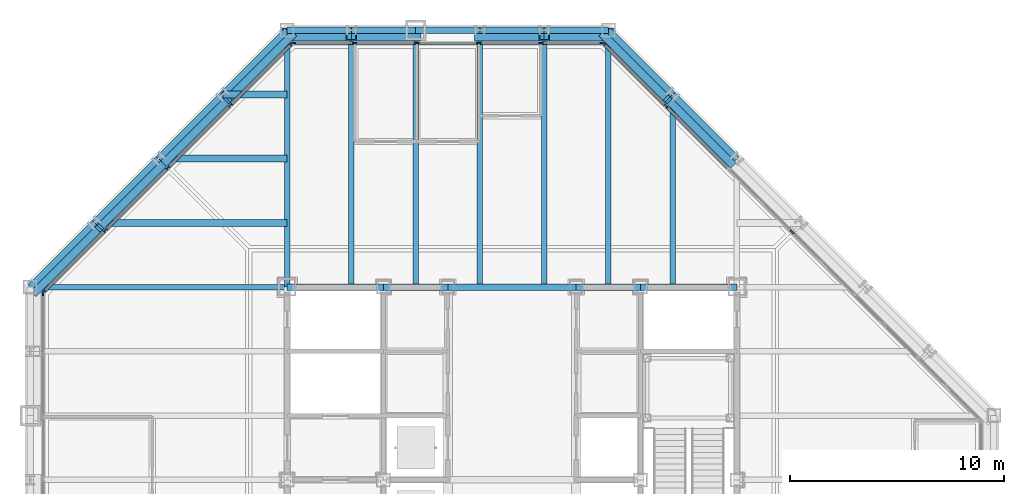
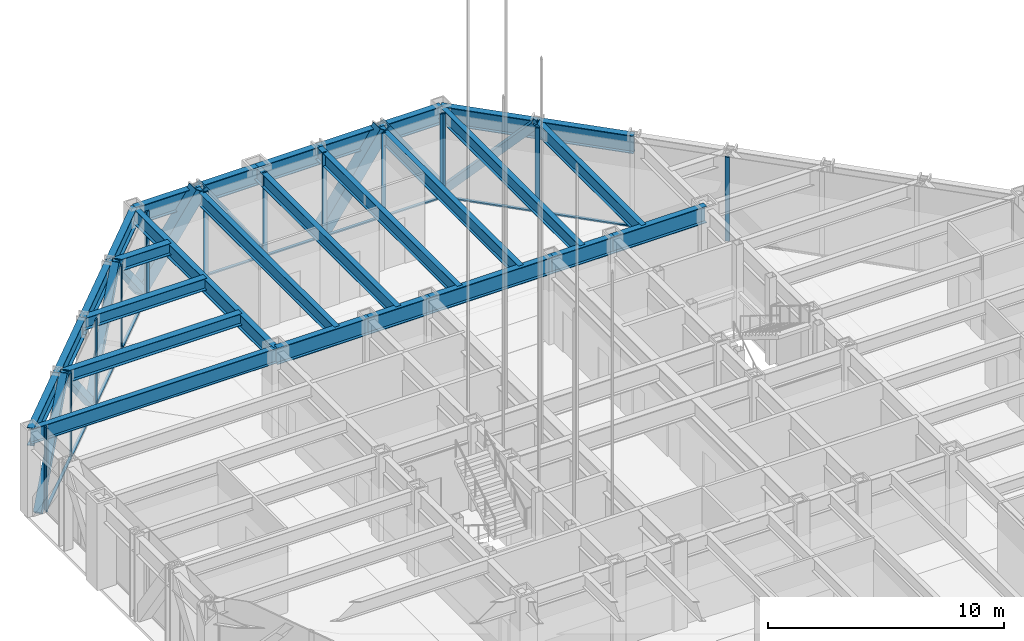
# One storey, part 7 of 24: 36 members, 27 beams, 4 elements without a shape of their own.
"""IFC4 building model written with IfcOpenShell, lengths in metres."""

from ifc_helpers import new_model, si_unit, direction, frame, origin, origin_2d, place, context, subcontext, project, spatial, rectangle, hollow_rectangle, i_section, extrude, material, layer, layer_set, material_profile, profile_set, type_object, element, aggregate, save


model = new_model("IFC4")

# Units and contexts
model_context = context("Model", 3, precision=1e-05, world=origin(), true_north=direction((0.0, 1.0)))
body_context = subcontext(model_context, "Body", "Model", "MODEL_VIEW")
ifc_project = project(units=[si_unit("LENGTHUNIT", "METRE"), si_unit("AREAUNIT", "SQUARE_METRE"), si_unit("VOLUMEUNIT", "CUBIC_METRE"), si_unit("PLANEANGLEUNIT", "RADIAN"), si_unit("MASSUNIT", "GRAM", prefix="KILO")], contexts=[model_context])

# Site, building, storey
site_placement = place(None, origin())
site = spatial("IfcSite", under=ifc_project, at=site_placement, CompositionType="ELEMENT")
building_placement = place(site_placement, origin())
building = spatial("IfcBuilding", under=site, at=building_placement, Name="Chuquiago Exchange Tower", CompositionType="ELEMENT")
storey_placement = place(building_placement, frame((0.0, 0.0, 180.0)))
storey = spatial("IfcBuildingStorey", under=building, at=storey_placement, Name="L39", CompositionType="ELEMENT", Elevation=180.0)

# Beams
ifc_material_1 = material(Name="Steel ASTM A992", Category="steel")
ifc_material_profile_1 = material_profile(ifc_material_1, i_section(OverallWidth=0.25390625, OverallDepth=0.683349609375, WebThickness=0.012451171875, FlangeThickness=0.018798828125, at=origin_2d()), Name="W27X94")
ifc_profile_set_1 = profile_set([ifc_material_profile_1], Name="Steel ASTM A992")
beam_type_1 = type_object("IfcBeamType", Name="B1 W27X94", PredefinedType="BEAM", material=ifc_profile_set_1)
for number, where, z_axis, x_axis, name in (
    (1, (15.0, 33.0, 3.998291015625), (0.0, 1.0, 0.0), (-1.0, 0.0, 0.0), "FB-L40-infill-15_33-15_45-0"),
    (2, (18.0, 33.0, 3.998291015625), (0.0, 1.0, 0.0), (-1.0, 0.0, 0.0), "FB-L40-infill-18_33-18_45-0"),
    (3, (21.0, 33.0, 3.998291015625), (0.0, 1.0, 0.0), (-1.0, 0.0, 0.0), "FB-L40-infill-21_33-21_45-0"),
    (4, (24.0, 33.0, 3.998291015625), (0.0, 1.0, 0.0), (-1.0, 0.0, 0.0), "FB-L40-infill-24_33-24_45-0"),
    (5, (27.0, 33.0, 3.998291015625), (0.0, 1.0, 0.0), (-1.0, 0.0, 0.0), "FB-L40-infill-27_33-27_45-0"),
):
    element("IfcBeam", number, at=place(storey_placement, frame(where, z_axis=z_axis, x_axis=x_axis)), inside=storey, type_object=beam_type_1, Name=name, PredefinedType="BEAM", context=body_context, shape_type="SweptSolid", body=[
        extrude(i_section(OverallWidth=0.25390625, OverallDepth=0.683349609375, WebThickness=0.012451171875, FlangeThickness=0.018798828125, at=origin_2d()), origin(), (0.0, 0.0, 1.0), 12.0),
    ])
beam_1_placement = place(storey_placement, frame((30.0, 33.0, 3.998291015625), z_axis=(0.0, 1.0, 0.0), x_axis=(-1.0, 0.0, 0.0)))
element("IfcBeam", 6, at=beam_1_placement, inside=storey, type_object=beam_type_1, Name="FB-L40-infill-30_33-30_42-0", PredefinedType="BEAM", context=body_context, shape_type="SweptSolid", body=[
    extrude(i_section(OverallWidth=0.25390625, OverallDepth=0.683349609375, WebThickness=0.012451171875, FlangeThickness=0.018798828125, at=origin_2d()), origin(), (0.0, 0.0, 1.0), 9.0),
])
ifc_material_2 = material(Name="Steel ASTM A992", Category="steel")
ifc_material_profile_2 = material_profile(ifc_material_2, i_section(OverallWidth=0.3251953125, OverallDepth=0.612060546875, WebThickness=0.0126953125, FlangeThickness=0.01904296875, at=origin_2d()), Name="W24X104")
ifc_profile_set_2 = profile_set([ifc_material_profile_2], Name="Steel ASTM A992")
beam_type_2 = type_object("IfcBeamType", Name="B2 W24X104", PredefinedType="BEAM", material=ifc_profile_set_2)
beam_2_placement = place(storey_placement, frame((12.0, 36.0, 4.033935546875), z_axis=(-1.0, 0.0, 0.0), x_axis=(0.0, -1.0, 0.0)))
element("IfcBeam", 7, at=beam_2_placement, inside=storey, type_object=beam_type_2, Name="FB-L40-corner-12_36-3_36-0", PredefinedType="BEAM", context=body_context, shape_type="SweptSolid", body=[
    extrude(i_section(OverallWidth=0.3251953125, OverallDepth=0.612060546875, WebThickness=0.0126953125, FlangeThickness=0.01904296875, at=origin_2d()), origin(), (0.0, 0.0, 1.0), 9.0),
])
beam_3_placement = place(storey_placement, frame((12.0, 39.0, 4.033935546875), z_axis=(-1.0, 0.0, 0.0), x_axis=(0.0, -1.0, 0.0)))
element("IfcBeam", 8, at=beam_3_placement, inside=storey, type_object=beam_type_2, Name="FB-L40-corner-12_39-6_39-0", PredefinedType="BEAM", context=body_context, shape_type="SweptSolid", body=[
    extrude(i_section(OverallWidth=0.3251953125, OverallDepth=0.612060546875, WebThickness=0.0126953125, FlangeThickness=0.01904296875, at=origin_2d()), origin(), (0.0, 0.0, 1.0), 6.0),
])
beam_4_placement = place(storey_placement, frame((12.0, 42.0, 4.033935546875), z_axis=(-1.0, 0.0, 0.0), x_axis=(0.0, -1.0, 0.0)))
element("IfcBeam", 9, at=beam_4_placement, inside=storey, type_object=beam_type_2, Name="FB-L40-corner-12_42-9_42-0", PredefinedType="BEAM", context=body_context, shape_type="SweptSolid", body=[
    extrude(i_section(OverallWidth=0.3251953125, OverallDepth=0.612060546875, WebThickness=0.0126953125, FlangeThickness=0.01904296875, at=origin_2d()), origin(), (0.0, 0.0, 1.0), 3.0),
])
ifc_material_3 = material(Name="Steel ASTM A992", Category="steel")
ifc_material_profile_3 = material_profile(ifc_material_3, i_section(OverallWidth=0.2919921875, OverallDepth=0.8583984375, WebThickness=0.01708984375, FlangeThickness=0.031005859375, at=origin_2d()), Name="W33X169")
ifc_profile_set_3 = profile_set([ifc_material_profile_3], Name="Steel ASTM A992")
beam_type_3 = type_object("IfcBeamType", Name="B3 W33X169", PredefinedType="BEAM", material=ifc_profile_set_3)
beam_5_placement = place(storey_placement, frame((12.0, 33.0, 3.91064453125), z_axis=(1.0, 0.0, 0.0), x_axis=(0.0, 1.0, 0.0)))
element("IfcBeam", 10, at=beam_5_placement, inside=storey, type_object=beam_type_3, Name="CB-L40-12_33-16.5_33", PredefinedType="BEAM", context=body_context, shape_type="SweptSolid", body=[
    extrude(i_section(OverallWidth=0.2919921875, OverallDepth=0.8583984375, WebThickness=0.01708984375, FlangeThickness=0.031005859375, at=origin_2d()), origin(), (0.0, 0.0, 1.0), 4.5),
])
beam_6_placement = place(storey_placement, frame((16.5, 33.0, 3.91064453125), z_axis=(1.0, 0.0, 0.0), x_axis=(0.0, 1.0, 0.0)))
element("IfcBeam", 11, at=beam_6_placement, inside=storey, type_object=beam_type_3, Name="CB-L40-16.5_33-19.5_33", PredefinedType="BEAM", context=body_context, shape_type="SweptSolid", body=[
    extrude(i_section(OverallWidth=0.2919921875, OverallDepth=0.8583984375, WebThickness=0.01708984375, FlangeThickness=0.031005859375, at=origin_2d()), origin(), (0.0, 0.0, 1.0), 3.0),
])
beam_7_placement = place(storey_placement, frame((19.5, 33.0, 3.91064453125), z_axis=(1.0, 0.0, 0.0), x_axis=(0.0, 1.0, 0.0)))
element("IfcBeam", 12, at=beam_7_placement, inside=storey, type_object=beam_type_3, Name="CB-L40-19.5_33-25.5_33", PredefinedType="BEAM", context=body_context, shape_type="SweptSolid", body=[
    extrude(i_section(OverallWidth=0.2919921875, OverallDepth=0.8583984375, WebThickness=0.01708984375, FlangeThickness=0.031005859375, at=origin_2d()), origin(), (0.0, 0.0, 1.0), 6.0),
])
beam_8_placement = place(storey_placement, frame((25.5, 33.0, 3.91064453125), z_axis=(1.0, 0.0, 0.0), x_axis=(0.0, 1.0, 0.0)))
element("IfcBeam", 13, at=beam_8_placement, inside=storey, type_object=beam_type_3, Name="CB-L40-25.5_33-28.5_33", PredefinedType="BEAM", context=body_context, shape_type="SweptSolid", body=[
    extrude(i_section(OverallWidth=0.2919921875, OverallDepth=0.8583984375, WebThickness=0.01708984375, FlangeThickness=0.031005859375, at=origin_2d()), origin(), (0.0, 0.0, 1.0), 3.0),
])
beam_9_placement = place(storey_placement, frame((28.5, 33.0, 3.91064453125), z_axis=(1.0, 0.0, 0.0), x_axis=(0.0, 1.0, 0.0)))
element("IfcBeam", 14, at=beam_9_placement, inside=storey, type_object=beam_type_3, Name="CB-L40-28.5_33-33_33", PredefinedType="BEAM", context=body_context, shape_type="SweptSolid", body=[
    extrude(i_section(OverallWidth=0.2919921875, OverallDepth=0.8583984375, WebThickness=0.01708984375, FlangeThickness=0.031005859375, at=origin_2d()), origin(), (0.0, 0.0, 1.0), 4.5),
])

# Curtain wall, members
ifc_material_4 = material(Name="Aluminium curtain wall system", Category="aluminium")
ifc_layer_1 = layer(ifc_material_4, 0.22509765625)
ifc_layer_set_1 = layer_set([ifc_layer_1], Name="CW2 office curtain wall")
curtain_wall_type_1 = type_object("IfcCurtainWallType", Name="CW2 office curtain wall", PredefinedType="NOTDEFINED", material=ifc_layer_set_1)
curtain_wall_1_placement = place(storey_placement, origin())
curtain_wall_1 = element("IfcCurtainWall", 15, at=curtain_wall_1_placement, inside=storey, type_object=curtain_wall_type_1, Name="CW2 curtain wall L39", PredefinedType="NOTDEFINED")
ifc_material_5 = material(Name="Aluminium mullion, pale anodised", Category="aluminium")
ifc_material_profile_4 = material_profile(ifc_material_5, rectangle(XDim=0.06494140625, YDim=0.22509765625, at=origin_2d()), Name="AL 65x225")
ifc_profile_set_4 = profile_set([ifc_material_profile_4], Name="Aluminium mullion, pale anodised")
member_type_1 = type_object("IfcMemberType", Name="CW2-M mullion 65x225", PredefinedType="MULLION", material=ifc_profile_set_4)
member_1_placement = place(storey_placement, frame((26.718994140625, 44.39990234375, 0.0), z_axis=(0.0, 0.0, 1.0), x_axis=(0.0, -1.0, 0.0)))
member_1 = element("IfcMember", 16, at=member_1_placement, type_object=member_type_1, Name="CW2 mullion 1", PredefinedType="MULLION", context=body_context, shape_type="SweptSolid", body=[
    extrude(rectangle(XDim=0.06494140625, YDim=0.22509765625, at=origin_2d()), origin(), (0.0, 0.0, 1.0), 4.340087890625),
])
member_2_placement = place(storey_placement, frame((23.850830078125, 44.39990234375, 0.0), z_axis=(0.0, 0.0, 1.0), x_axis=(0.0, -1.0, 0.0)))
member_2 = element("IfcMember", 17, at=member_2_placement, type_object=member_type_1, Name="CW2 mullion 2", PredefinedType="MULLION", context=body_context, shape_type="SweptSolid", body=[
    extrude(rectangle(XDim=0.06494140625, YDim=0.22509765625, at=origin_2d()), origin(), (0.0, 0.0, 1.0), 4.340087890625),
])
member_3_placement = place(storey_placement, frame((20.9501953125, 44.39990234375, 0.0), z_axis=(0.0, 0.0, 1.0), x_axis=(0.0, -1.0, 0.0)))
member_3 = element("IfcMember", 18, at=member_3_placement, type_object=member_type_1, Name="CW2 mullion 3", PredefinedType="MULLION", context=body_context, shape_type="SweptSolid", body=[
    extrude(rectangle(XDim=0.06494140625, YDim=0.22509765625, at=origin_2d()), origin(), (0.0, 0.0, 1.0), 4.340087890625),
])
member_4_placement = place(storey_placement, frame((18.0498046875, 44.39990234375, 0.0), z_axis=(0.0, 0.0, 1.0), x_axis=(0.0, -1.0, 0.0)))
member_4 = element("IfcMember", 19, at=member_4_placement, type_object=member_type_1, Name="CW2 mullion 4", PredefinedType="MULLION", context=body_context, shape_type="SweptSolid", body=[
    extrude(rectangle(XDim=0.06494140625, YDim=0.22509765625, at=origin_2d()), origin(), (0.0, 0.0, 1.0), 4.340087890625),
])
member_5_placement = place(storey_placement, frame((15.149169921875, 44.39990234375, 0.0), z_axis=(0.0, 0.0, 1.0), x_axis=(0.0, -1.0, 0.0)))
member_5 = element("IfcMember", 20, at=member_5_placement, type_object=member_type_1, Name="CW2 mullion 5", PredefinedType="MULLION", context=body_context, shape_type="SweptSolid", body=[
    extrude(rectangle(XDim=0.06494140625, YDim=0.22509765625, at=origin_2d()), origin(), (0.0, 0.0, 1.0), 4.340087890625),
])
member_6_placement = place(storey_placement, frame((12.281005859375, 44.39990234375, 0.0), z_axis=(0.0, 0.0, 1.0), x_axis=(0.0, -1.0, 0.0)))
member_6 = element("IfcMember", 21, at=member_6_placement, type_object=member_type_1, Name="CW2 mullion 6", PredefinedType="MULLION", context=body_context, shape_type="SweptSolid", body=[
    extrude(rectangle(XDim=0.06494140625, YDim=0.22509765625, at=origin_2d()), origin(), (0.0, 0.0, 1.0), 4.340087890625),
])

# Curtain wall, member
curtain_wall_2_placement = place(storey_placement, origin())
curtain_wall_2 = element("IfcCurtainWall", 22, at=curtain_wall_2_placement, inside=storey, type_object=curtain_wall_type_1, Name="CW2 curtain wall L39", PredefinedType="NOTDEFINED")
member_7_placement = place(storey_placement, frame((0.60009765625, 32.718994140625, 0.0), z_axis=(0.0, 0.0, 1.0), x_axis=(1.0, 0.0, 0.0)))
member_7 = element("IfcMember", 23, at=member_7_placement, type_object=member_type_1, Name="CW2 mullion 1", PredefinedType="MULLION", context=body_context, shape_type="SweptSolid", body=[
    extrude(rectangle(XDim=0.06494140625, YDim=0.22509765625, at=origin_2d()), origin(), (0.0, 0.0, 1.0), 4.340087890625),
])
aggregate(curtain_wall_2, [member_7])

# Member
ifc_material_6 = material(Name="Aluminium transom, pale anodised", Category="aluminium")
ifc_material_profile_5 = material_profile(ifc_material_6, rectangle(XDim=0.139892578125, YDim=0.06494140625, at=origin_2d()), Name="AL 140x65")
ifc_profile_set_5 = profile_set([ifc_material_profile_5], Name="Aluminium transom, pale anodised")
member_type_2 = type_object("IfcMemberType", Name="CW2-T transom 65x140", PredefinedType="MULLION", material=ifc_profile_set_5)
member_8_placement = place(storey_placement, frame((26.6865234375, 44.39990234375, 0.032470703125), z_axis=(-1.0, 0.0, 0.0), x_axis=(0.0, -1.0, 0.0)))
member_8 = element("IfcMember", 24, at=member_8_placement, type_object=member_type_2, Name="CW2 transom 1.1", PredefinedType="MULLION", context=body_context, shape_type="SweptSolid", body=[
    extrude(rectangle(XDim=0.139892578125, YDim=0.06494140625, at=origin_2d()), origin(), (0.0, 0.0, 1.0), 2.80322265625),
])

member_9_placement = place(storey_placement, frame((23.818359375, 44.39990234375, 0.032470703125), z_axis=(-1.0, 0.0, 0.0), x_axis=(0.0, -1.0, 0.0)))
member_9 = element("IfcMember", 25, at=member_9_placement, type_object=member_type_2, Name="CW2 transom 2.1", PredefinedType="MULLION", context=body_context, shape_type="SweptSolid", body=[
    extrude(rectangle(XDim=0.139892578125, YDim=0.06494140625, at=origin_2d()), origin(), (0.0, 0.0, 1.0), 2.83544921875),
])

member_10_placement = place(storey_placement, frame((20.917724609375, 44.39990234375, 0.032470703125), z_axis=(-1.0, 0.0, 0.0), x_axis=(0.0, -1.0, 0.0)))
member_10 = element("IfcMember", 26, at=member_10_placement, type_object=member_type_2, Name="CW2 transom 3.1", PredefinedType="MULLION", context=body_context, shape_type="SweptSolid", body=[
    extrude(rectangle(XDim=0.139892578125, YDim=0.06494140625, at=origin_2d()), origin(), (0.0, 0.0, 1.0), 2.83544921875),
])

member_11_placement = place(storey_placement, frame((18.01708984375, 44.39990234375, 0.032470703125), z_axis=(-1.0, 0.0, 0.0), x_axis=(0.0, -1.0, 0.0)))
member_11 = element("IfcMember", 27, at=member_11_placement, type_object=member_type_2, Name="CW2 transom 4.1", PredefinedType="MULLION", context=body_context, shape_type="SweptSolid", body=[
    extrude(rectangle(XDim=0.139892578125, YDim=0.06494140625, at=origin_2d()), origin(), (0.0, 0.0, 1.0), 2.83544921875),
])

member_12_placement = place(storey_placement, frame((15.11669921875, 44.39990234375, 0.032470703125), z_axis=(-1.0, 0.0, 0.0), x_axis=(0.0, -1.0, 0.0)))
member_12 = element("IfcMember", 28, at=member_12_placement, type_object=member_type_2, Name="CW2 transom 5.1", PredefinedType="MULLION", context=body_context, shape_type="SweptSolid", body=[
    extrude(rectangle(XDim=0.139892578125, YDim=0.06494140625, at=origin_2d()), origin(), (0.0, 0.0, 1.0), 2.80322265625),
])

aggregate(curtain_wall_1, [member_1, member_2, member_3, member_4, member_5, member_6, member_8, member_9, member_10, member_11, member_12])

# Curtain wall, members
ifc_material_7 = material(Name="Aluminium curtain wall system", Category="aluminium")
ifc_layer_2 = layer(ifc_material_7, 0.199951171875)
ifc_layer_set_2 = layer_set([ifc_layer_2], Name="CW3 facet curtain wall")
curtain_wall_type_2 = type_object("IfcCurtainWallType", Name="CW3 facet curtain wall", PredefinedType="NOTDEFINED", material=ifc_layer_set_2)
curtain_wall_3_placement = place(storey_placement, origin())
curtain_wall_3 = element("IfcCurtainWall", 29, at=curtain_wall_3_placement, inside=storey, type_object=curtain_wall_type_2, Name="CW3 curtain wall L39", PredefinedType="NOTDEFINED")
ifc_material_8 = material(Name="Aluminium mullion, pale anodised", Category="aluminium")
ifc_material_profile_6 = material_profile(ifc_material_8, rectangle(XDim=0.06494140625, YDim=0.199951171875, at=origin_2d()), Name="AL 65x200")
ifc_profile_set_6 = profile_set([ifc_material_profile_6], Name="Aluminium mullion, pale anodised")
member_type_3 = type_object("IfcMemberType", Name="CW3-M mullion 65x200", PredefinedType="MULLION", material=ifc_profile_set_6)
member_13_placement = place(storey_placement, frame((35.57568359375, 35.57568359375, 0.0), z_axis=(0.0, 0.0, 1.0), x_axis=(-0.707106781187, -0.707106781187, 0.0)))
member_13 = element("IfcMember", 30, at=member_13_placement, type_object=member_type_3, Name="CW3 mullion 4", PredefinedType="MULLION", context=body_context, shape_type="SweptSolid", body=[
    extrude(rectangle(XDim=0.06494140625, YDim=0.199951171875, at=origin_2d()), origin(), (0.0, 0.0, 1.0), 4.340087890625),
])
member_14_placement = place(storey_placement, frame((29.69287109375, 41.45849609375, 0.0), z_axis=(0.0, 0.0, 1.0), x_axis=(-0.707106781187, -0.707106781187, 0.0)))
member_14 = element("IfcMember", 31, at=member_14_placement, type_object=member_type_3, Name="CW3 mullion 6", PredefinedType="MULLION", context=body_context, shape_type="SweptSolid", body=[
    extrude(rectangle(XDim=0.06494140625, YDim=0.199951171875, at=origin_2d()), origin(), (0.0, 0.0, 1.0), 4.340087890625),
])
member_15_placement = place(storey_placement, frame((26.7744140625, 44.376953125, 0.0), z_axis=(0.0, 0.0, 1.0), x_axis=(-0.707106781187, -0.707106781187, 0.0)))
member_15 = element("IfcMember", 32, at=member_15_placement, type_object=member_type_3, Name="CW3 mullion 7", PredefinedType="MULLION", context=body_context, shape_type="SweptSolid", body=[
    extrude(rectangle(XDim=0.06494140625, YDim=0.199951171875, at=origin_2d()), origin(), (0.0, 0.0, 1.0), 4.340087890625),
])

curtain_wall_4_placement = place(storey_placement, origin())
curtain_wall_4 = element("IfcCurtainWall", 33, at=curtain_wall_4_placement, inside=storey, type_object=curtain_wall_type_2, Name="CW3 curtain wall L39", PredefinedType="NOTDEFINED")
member_16_placement = place(storey_placement, frame((12.2255859375, 44.376953125, 0.0), z_axis=(0.0, 0.0, 1.0), x_axis=(0.707106781187, -0.707106781187, 0.0)))
member_16 = element("IfcMember", 34, at=member_16_placement, type_object=member_type_3, Name="CW3 mullion 1", PredefinedType="MULLION", context=body_context, shape_type="SweptSolid", body=[
    extrude(rectangle(XDim=0.06494140625, YDim=0.199951171875, at=origin_2d()), origin(), (0.0, 0.0, 1.0), 4.340087890625),
])
member_17_placement = place(storey_placement, frame((9.33642578125, 41.48779296875, 0.0), z_axis=(0.0, 0.0, 1.0), x_axis=(0.707106781187, -0.707106781187, 0.0)))
member_17 = element("IfcMember", 35, at=member_17_placement, type_object=member_type_3, Name="CW3 mullion 2", PredefinedType="MULLION", context=body_context, shape_type="SweptSolid", body=[
    extrude(rectangle(XDim=0.06494140625, YDim=0.199951171875, at=origin_2d()), origin(), (0.0, 0.0, 1.0), 4.340087890625),
])
member_18_placement = place(storey_placement, frame((6.42431640625, 38.57568359375, 0.0), z_axis=(0.0, 0.0, 1.0), x_axis=(0.707106781187, -0.707106781187, 0.0)))
member_18 = element("IfcMember", 36, at=member_18_placement, type_object=member_type_3, Name="CW3 mullion 3", PredefinedType="MULLION", context=body_context, shape_type="SweptSolid", body=[
    extrude(rectangle(XDim=0.06494140625, YDim=0.199951171875, at=origin_2d()), origin(), (0.0, 0.0, 1.0), 4.340087890625),
])
member_19_placement = place(storey_placement, frame((3.51220703125, 35.66357421875, 0.0), z_axis=(0.0, 0.0, 1.0), x_axis=(0.707106781187, -0.707106781187, 0.0)))
member_19 = element("IfcMember", 37, at=member_19_placement, type_object=member_type_3, Name="CW3 mullion 4", PredefinedType="MULLION", context=body_context, shape_type="SweptSolid", body=[
    extrude(rectangle(XDim=0.06494140625, YDim=0.199951171875, at=origin_2d()), origin(), (0.0, 0.0, 1.0), 4.340087890625),
])
member_20_placement = place(storey_placement, frame((0.623046875, 32.7744140625, 0.0), z_axis=(0.0, 0.0, 1.0), x_axis=(0.707106781187, -0.707106781187, 0.0)))
member_20 = element("IfcMember", 38, at=member_20_placement, type_object=member_type_3, Name="CW3 mullion 5", PredefinedType="MULLION", context=body_context, shape_type="SweptSolid", body=[
    extrude(rectangle(XDim=0.06494140625, YDim=0.199951171875, at=origin_2d()), origin(), (0.0, 0.0, 1.0), 4.340087890625),
])

# Member
ifc_material_9 = material(Name="Aluminium transom, pale anodised", Category="aluminium")
ifc_material_profile_7 = material_profile(ifc_material_9, rectangle(XDim=0.139892578125, YDim=0.06494140625, at=origin_2d()), Name="AL 140x65")
ifc_profile_set_7 = profile_set([ifc_material_profile_7], Name="Aluminium transom, pale anodised")
member_type_4 = type_object("IfcMemberType", Name="CW3-T transom 65x140", PredefinedType="MULLION", material=ifc_profile_set_7)
member_21_placement = place(storey_placement, frame((32.611328125, 38.5400390625, 0.032470703125), z_axis=(-0.707106781187, 0.707106781187, 0.0), x_axis=(-0.707106781187, -0.707106781187, 0.0)))
member_21 = element("IfcMember", 39, at=member_21_placement, type_object=member_type_4, Name="CW3 transom 5.1", PredefinedType="MULLION", context=body_context, shape_type="SweptSolid", body=[
    extrude(rectangle(XDim=0.139892578125, YDim=0.06494140625, at=origin_2d()), origin(), (0.0, 0.0, 1.0), 4.094970703125),
])

member_22_placement = place(storey_placement, frame((29.669921875, 41.4814453125, 0.032470703125), z_axis=(-0.707106781187, 0.707106781187, 0.0), x_axis=(-0.707106781187, -0.707106781187, 0.0)))
member_22 = element("IfcMember", 40, at=member_22_placement, type_object=member_type_4, Name="CW3 transom 6.1", PredefinedType="MULLION", context=body_context, shape_type="SweptSolid", body=[
    extrude(rectangle(XDim=0.139892578125, YDim=0.06494140625, at=origin_2d()), origin(), (0.0, 0.0, 1.0), 4.0625),
])

aggregate(curtain_wall_3, [member_13, member_14, member_15, member_21, member_22])

member_23_placement = place(storey_placement, frame((12.20263671875, 44.35400390625, 0.032470703125), z_axis=(-0.707106781187, -0.707106781187, 0.0), x_axis=(0.707106781187, -0.707106781187, 0.0)))
member_23 = element("IfcMember", 41, at=member_23_placement, type_object=member_type_4, Name="CW3 transom 1.1", PredefinedType="MULLION", context=body_context, shape_type="SweptSolid", body=[
    extrude(rectangle(XDim=0.139892578125, YDim=0.06494140625, at=origin_2d()), origin(), (0.0, 0.0, 1.0), 4.02099609375),
])

member_24_placement = place(storey_placement, frame((9.3134765625, 41.46484375, 0.032470703125), z_axis=(-0.707106781187, -0.707106781187, 0.0), x_axis=(0.707106781187, -0.707106781187, 0.0)))
member_24 = element("IfcMember", 42, at=member_24_placement, type_object=member_type_4, Name="CW3 transom 2.1", PredefinedType="MULLION", context=body_context, shape_type="SweptSolid", body=[
    extrude(rectangle(XDim=0.139892578125, YDim=0.06494140625, at=origin_2d()), origin(), (0.0, 0.0, 1.0), 4.053466796875),
])

member_25_placement = place(storey_placement, frame((6.4013671875, 38.552734375, 0.032470703125), z_axis=(-0.707106781187, -0.707106781187, 0.0), x_axis=(0.707106781187, -0.707106781187, 0.0)))
member_25 = element("IfcMember", 43, at=member_25_placement, type_object=member_type_4, Name="CW3 transom 3.1", PredefinedType="MULLION", context=body_context, shape_type="SweptSolid", body=[
    extrude(rectangle(XDim=0.139892578125, YDim=0.06494140625, at=origin_2d()), origin(), (0.0, 0.0, 1.0), 4.053466796875),
])

member_26_placement = place(storey_placement, frame((3.4892578125, 35.640625, 0.032470703125), z_axis=(-0.707106781187, -0.707106781187, 0.0), x_axis=(0.707106781187, -0.707106781187, 0.0)))
member_26 = element("IfcMember", 44, at=member_26_placement, type_object=member_type_4, Name="CW3 transom 4.1", PredefinedType="MULLION", context=body_context, shape_type="SweptSolid", body=[
    extrude(rectangle(XDim=0.139892578125, YDim=0.06494140625, at=origin_2d()), origin(), (0.0, 0.0, 1.0), 4.02099609375),
])

aggregate(curtain_wall_4, [member_16, member_17, member_18, member_19, member_20, member_23, member_24, member_25, member_26])

# Beams
ifc_material_10 = material(Name="Steel ASTM A992", Category="steel")
ifc_material_profile_8 = material_profile(ifc_material_10, i_section(OverallWidth=0.2666015625, OverallDepth=0.76953125, WebThickness=0.015625, FlangeThickness=0.025390625, at=origin_2d()), Name="W30X132")
ifc_profile_set_8 = profile_set([ifc_material_profile_8], Name="Steel ASTM A992")
beam_type_4 = type_object("IfcBeamType", Name="G1 W30X132", PredefinedType="BEAM", material=ifc_profile_set_8)
for number, where, z_axis, x_axis, name in (
    (45, (12.0, 33.0, 3.955078125), (0.0, 1.0, 0.0), (-1.0, 0.0, 0.0), "FB-L40-girder-12_33-12_45-0"),
    (46, (12.0, 33.0, 3.955078125), (-1.0, 0.0, 0.0), (0.0, -1.0, 0.0), "FB-L40-girder-12_33--0_33-0"),
):
    element("IfcBeam", number, at=place(storey_placement, frame(where, z_axis=z_axis, x_axis=x_axis)), inside=storey, type_object=beam_type_4, Name=name, PredefinedType="BEAM", context=body_context, shape_type="SweptSolid", body=[
        extrude(i_section(OverallWidth=0.2666015625, OverallDepth=0.76953125, WebThickness=0.015625, FlangeThickness=0.025390625, at=origin_2d()), origin(), (0.0, 0.0, 1.0), 12.0),
    ])

# Members
ifc_material_11 = material(Name="Steel ASTM A500 Grade C", Category="steel")
ifc_material_profile_9 = material_profile(ifc_material_11, hollow_rectangle(XDim=0.355712890625, YDim=0.355712890625, WallThickness=0.0146484375, at=origin_2d()), Name="HSS14X14X5/8")
ifc_profile_set_9 = profile_set([ifc_material_profile_9], Name="Steel ASTM A500 Grade C")
member_type_5 = type_object("IfcMemberType", Name="LB2 HSS14X14X5/8", PredefinedType="BRACE", material=ifc_profile_set_9)
for number, where, z_axis, x_axis, name in (
    (47, (32.7685546875, 38.7685546875, 0.0), (-0.494291205278, 0.494291205278, 0.715089091491), (-0.707106781187, -0.707106781187, 0.0), "LB-L39-33_39-30_42"),
    (48, (26.7685546875, 44.7685546875, 0.0), (0.494291205278, -0.494291205278, 0.715089091491), (0.707106781187, 0.707106781187, 0.0), "LB-L39-30_42-27_45"),
    (49, (12.2314453125, 44.7685546875, 0.0), (-0.494291205278, -0.494291205278, 0.715089091491), (0.707106781187, -0.707106781187, 0.0), "LB-L39-12_45-9_42"),
    (50, (6.2314453125, 38.7685546875, 0.0), (0.494291205278, 0.494291205278, 0.715089091491), (-0.707106781187, 0.707106781187, 0.0), "LB-L39-9_42-6_39"),
    (51, (6.2314453125, 38.7685546875, 0.0), (-0.494291205278, -0.494291205278, 0.715089091491), (0.707106781187, -0.707106781187, 0.0), "LB-L39-6_39-3_36"),
    (52, (0.2314453125, 32.7685546875, 0.0), (0.494291205278, 0.494291205278, 0.715089091491), (-0.707106781187, 0.707106781187, 0.0), "LB-L39-3_36-0_33"),
):
    element("IfcMember", number, at=place(storey_placement, frame(where, z_axis=z_axis, x_axis=x_axis)), inside=storey, type_object=member_type_5, Name=name, PredefinedType="BRACE", context=body_context, shape_type="SweptSolid", body=[
        extrude(hollow_rectangle(XDim=0.355712890625, YDim=0.355712890625, WallThickness=0.0146484375, at=origin_2d()), origin(), (0.0, 0.0, 1.0), 6.0693359375),
    ])
ifc_material_12 = material(Name="Steel ASTM A572 Grade 50", Category="steel")
ifc_material_profile_10 = material_profile(ifc_material_12, hollow_rectangle(XDim=0.60009765625, YDim=0.60009765625, WallThickness=0.06005859375, at=origin_2d()), Name="BOX600X600X60")
ifc_profile_set_10 = profile_set([ifc_material_profile_10], Name="Steel ASTM A572 Grade 50")
member_type_6 = type_object("IfcMemberType", Name="MB3 BOX600X600X60", PredefinedType="BRACE", material=ifc_profile_set_10)
for number, where, z_axis, x_axis, name in (
    (53, (27.0, 44.794921875, 0.0), (-0.568610676405, 0.0, 0.822606770382), (0.0, -1.0, 0.0), "Mega diagonal L39 N face"),
    (54, (21.0, 44.794921875, 0.0), (0.568610676405, 0.0, 0.822606770382), (0.0, 1.0, 0.0), "Mega diagonal L39 N face"),
    (55, (18.0, 44.794921875, 0.0), (-0.568610676405, 0.0, 0.822606770382), (0.0, -1.0, 0.0), "Mega diagonal L39 N face"),
    (56, (12.0, 44.794921875, 0.0), (0.568610676405, 0.0, 0.822606770382), (0.0, 1.0, 0.0), "Mega diagonal L39 N face"),
):
    element("IfcMember", number, at=place(storey_placement, frame(where, z_axis=z_axis, x_axis=x_axis)), inside=storey, type_object=member_type_6, Name=name, PredefinedType="BRACE", context=body_context, shape_type="SweptSolid", body=[
        extrude(hollow_rectangle(XDim=0.60009765625, YDim=0.60009765625, WallThickness=0.06005859375, at=origin_2d()), origin(), (0.0, 0.0, 1.0), 5.276123046875),
    ])

# Beams
ifc_material_13 = material(Name="Steel ASTM A992", Category="steel")
ifc_material_profile_11 = material_profile(ifc_material_13, i_section(OverallWidth=0.307373046875, OverallDepth=0.927001953125, WebThickness=0.01953125, FlangeThickness=0.031982421875, at=origin_2d()), Name="W36X194")
ifc_profile_set_11 = profile_set([ifc_material_profile_11], Name="Steel ASTM A992")
beam_type_5 = type_object("IfcBeamType", Name="SP3 W36X194", PredefinedType="SPANDREL", material=ifc_profile_set_11)
for number, where, z_axis, x_axis, name in (
    (57, (33.0, 39.0, 3.87646484375), (-0.707106781187, 0.707106781187, 0.0), (-0.707106781187, -0.707106781187, 0.0), "SPB-L40-33_39-30_42"),
    (58, (30.0, 42.0, 3.87646484375), (-0.707106781187, 0.707106781187, 0.0), (-0.707106781187, -0.707106781187, 0.0), "SPB-L40-30_42-27_45"),
):
    element("IfcBeam", number, at=place(storey_placement, frame(where, z_axis=z_axis, x_axis=x_axis)), inside=storey, type_object=beam_type_5, Name=name, PredefinedType="SPANDREL", context=body_context, shape_type="SweptSolid", body=[
        extrude(i_section(OverallWidth=0.307373046875, OverallDepth=0.927001953125, WebThickness=0.01953125, FlangeThickness=0.031982421875, at=origin_2d()), origin(), (0.0, 0.0, 1.0), 4.24267578125),
    ])
for number, where, z_axis, x_axis, name in (
    (59, (27.0, 45.0, 3.87646484375), (-1.0, 0.0, 0.0), (0.0, -1.0, 0.0), "SPB-L40-27_45-24_45"),
    (60, (24.0, 45.0, 3.87646484375), (-1.0, 0.0, 0.0), (0.0, -1.0, 0.0), "SPB-L40-24_45-21_45"),
    (61, (21.0, 45.0, 3.87646484375), (-1.0, 0.0, 0.0), (0.0, -1.0, 0.0), "SPB-L40-21_45-18_45"),
    (62, (18.0, 45.0, 3.87646484375), (-1.0, 0.0, 0.0), (0.0, -1.0, 0.0), "SPB-L40-18_45-15_45"),
    (63, (15.0, 45.0, 3.87646484375), (-1.0, 0.0, 0.0), (0.0, -1.0, 0.0), "SPB-L40-15_45-12_45"),
):
    element("IfcBeam", number, at=place(storey_placement, frame(where, z_axis=z_axis, x_axis=x_axis)), inside=storey, type_object=beam_type_5, Name=name, PredefinedType="SPANDREL", context=body_context, shape_type="SweptSolid", body=[
        extrude(i_section(OverallWidth=0.307373046875, OverallDepth=0.927001953125, WebThickness=0.01953125, FlangeThickness=0.031982421875, at=origin_2d()), origin(), (0.0, 0.0, 1.0), 3.0),
    ])
for number, where, z_axis, x_axis, name in (
    (64, (12.0, 45.0, 3.87646484375), (-0.707106781187, -0.707106781187, 0.0), (0.707106781187, -0.707106781187, 0.0), "SPB-L40-12_45-9_42"),
    (65, (9.0, 42.0, 3.87646484375), (-0.707106781187, -0.707106781187, 0.0), (0.707106781187, -0.707106781187, 0.0), "SPB-L40-9_42-6_39"),
    (66, (6.0, 39.0, 3.87646484375), (-0.707106781187, -0.707106781187, 0.0), (0.707106781187, -0.707106781187, 0.0), "SPB-L40-6_39-3_36"),
    (67, (3.0, 36.0, 3.87646484375), (-0.707106781187, -0.707106781187, 0.0), (0.707106781187, -0.707106781187, 0.0), "SPB-L40-3_36-0_33"),
):
    element("IfcBeam", number, at=place(storey_placement, frame(where, z_axis=z_axis, x_axis=x_axis)), inside=storey, type_object=beam_type_5, Name=name, PredefinedType="SPANDREL", context=body_context, shape_type="SweptSolid", body=[
        extrude(i_section(OverallWidth=0.307373046875, OverallDepth=0.927001953125, WebThickness=0.01953125, FlangeThickness=0.031982421875, at=origin_2d()), origin(), (0.0, 0.0, 1.0), 4.24267578125),
    ])

save(model, "model.ifc")
